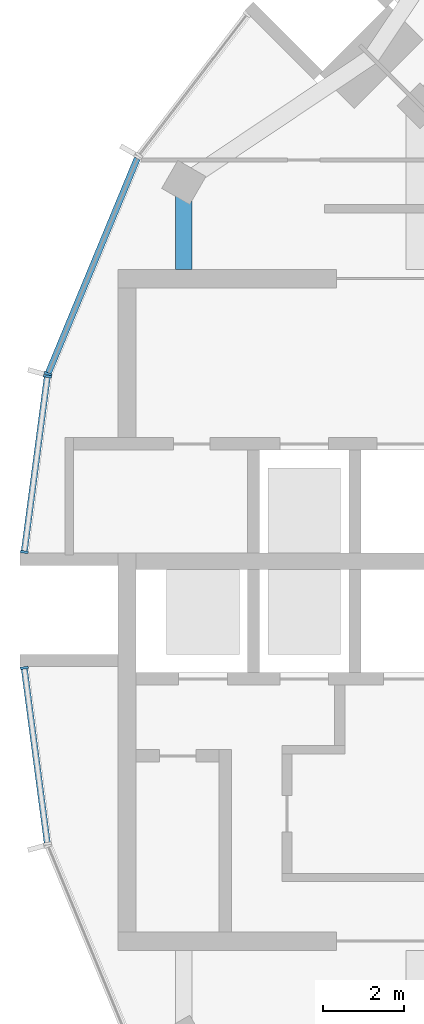
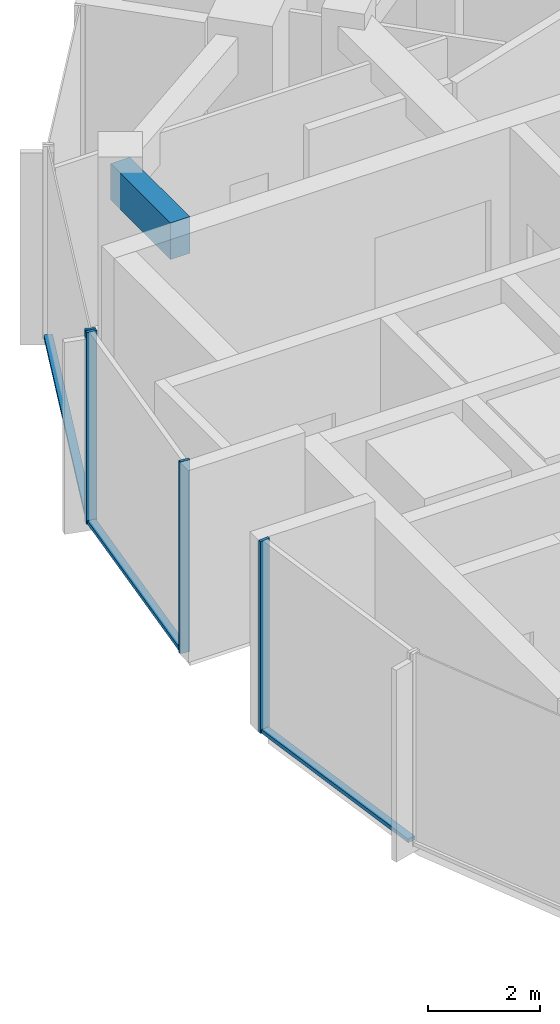
# One storey, part 3 of 14: 7 members, 1 beam, 3 elements without a shape of their own.
"""IFC4 building model written with IfcOpenShell, lengths in metres."""

from ifc_helpers import new_model, si_unit, direction, frame, origin, origin_2d, place, context, subcontext, project, spatial, rectangle, extrude, material, layer, layer_set, material_profile, profile_set, type_object, element, aggregate, save


model = new_model("IFC4")

# Units and contexts
model_context = context("Model", 3, precision=1e-05, world=origin(), true_north=direction((0.0, 1.0)))
body_context = subcontext(model_context, "Body", "Model", "MODEL_VIEW")
ifc_project = project(units=[si_unit("LENGTHUNIT", "METRE"), si_unit("AREAUNIT", "SQUARE_METRE"), si_unit("VOLUMEUNIT", "CUBIC_METRE"), si_unit("PLANEANGLEUNIT", "RADIAN"), si_unit("MASSUNIT", "GRAM", prefix="KILO")], contexts=[model_context])

# Site, building, storey
site_placement = place(None, origin())
site = spatial("IfcSite", under=ifc_project, at=site_placement, CompositionType="ELEMENT")
building_placement = place(site_placement, origin())
building = spatial("IfcBuilding", under=site, at=building_placement, Name="Torre Brocal", CompositionType="ELEMENT")
storey_placement = place(building_placement, frame((0.0, 0.0, 305.10009765625)))
storey = spatial("IfcBuildingStorey", under=building, at=storey_placement, Name="L70", CompositionType="ELEMENT", Elevation=305.10009765625)

# Curtain wall, members
ifc_material_1 = material(Name="Aluminium and glass", Category="aluminium")
ifc_layer_1 = layer(ifc_material_1, 0.199951171875)
ifc_layer_set_1 = layer_set([ifc_layer_1], Name="Aluminium and glass")
curtain_wall_type_1 = type_object("IfcCurtainWallType", Name="CW-1 CURTAIN WALL 4200 HIGH", PredefinedType="NOTDEFINED", material=ifc_layer_set_1)
curtain_wall_1_placement = place(storey_placement, origin())
curtain_wall_1 = element("IfcCurtainWall", 1, at=curtain_wall_1_placement, inside=storey, type_object=curtain_wall_type_1, Name="CW-1 RUN 11", PredefinedType="NOTDEFINED")
ifc_material_2 = material(Name="Aluminium, dark anodised", Category="aluminium")
ifc_material_profile_1 = material_profile(ifc_material_2, rectangle(XDim=0.199951171875, YDim=0.06005859375, at=origin_2d()), Name="CW-1 MULLION 60X200")
ifc_profile_set_1 = profile_set([ifc_material_profile_1], Name="Aluminium, dark anodised")
member_type_1 = type_object("IfcMemberType", Name="CW-1 MULLION 60X200", PredefinedType="MULLION", material=ifc_profile_set_1)
member_1_placement = place(storey_placement, frame((58.37548828125, 80.824951171875, 0.0), z_axis=(0.0, 0.0, 1.0), x_axis=(0.923879532545, -0.382683432284, 0.0)))
member_1 = element("IfcMember", 2, at=member_1_placement, type_object=member_type_1, Name="CW1-5 mullion 2", PredefinedType="MULLION", context=body_context, shape_type="SweptSolid", body=[
    extrude(rectangle(XDim=0.199951171875, YDim=0.06005859375, at=origin_2d()), origin(), (0.0, 0.0, 1.0), 4.199951171875),
])
ifc_material_3 = material(Name="Aluminium, dark anodised", Category="aluminium")
ifc_material_profile_2 = material_profile(ifc_material_3, rectangle(XDim=0.159912109375, YDim=0.080078125, at=origin_2d()), Name="CW-1 TRANSOM 160X80")
ifc_profile_set_2 = profile_set([ifc_material_profile_2], Name="Aluminium, dark anodised")
member_type_2 = type_object("IfcMemberType", Name="CW-1 TRANSOM 160X80", PredefinedType="USERDEFINED", material=ifc_profile_set_2)
member_2_placement = place(storey_placement, frame((60.578857421875, 86.14404296875, 0.039794921875), z_axis=(-0.382710701355, -0.923868236854, 0.0), x_axis=(0.923868236854, -0.382710701355, 0.0)))
member_2 = element("IfcMember", 3, at=member_2_placement, type_object=member_type_2, Name="CW1-5 transom 1.1", ObjectType="TRANSOM", PredefinedType="USERDEFINED", context=body_context, shape_type="SweptSolid", body=[
    extrude(rectangle(XDim=0.159912109375, YDim=0.080078125, at=origin_2d()), origin(), (0.0, 0.0, 1.0), 5.727294921875),
])
aggregate(curtain_wall_1, [member_1, member_2])

ifc_material_4 = material(Name="Aluminium and glass", Category="aluminium")
ifc_layer_2 = layer(ifc_material_4, 0.199951171875)
ifc_layer_set_2 = layer_set([ifc_layer_2], Name="Aluminium and glass")
curtain_wall_type_2 = type_object("IfcCurtainWallType", Name="CW-1B CURTAIN WALL 4200 HIGH", PredefinedType="NOTDEFINED", material=ifc_layer_set_2)
curtain_wall_2_placement = place(storey_placement, origin())
curtain_wall_2 = element("IfcCurtainWall", 4, at=curtain_wall_2_placement, inside=storey, type_object=curtain_wall_type_2, Name="CW-1B RUN 12", PredefinedType="NOTDEFINED")
ifc_material_5 = material(Name="Aluminium, dark anodised", Category="aluminium")
ifc_material_profile_3 = material_profile(ifc_material_5, rectangle(XDim=0.199951171875, YDim=0.06005859375, at=origin_2d()), Name="CW-1B MULLION 60X200")
ifc_profile_set_3 = profile_set([ifc_material_profile_3], Name="Aluminium, dark anodised")
member_type_3 = type_object("IfcMemberType", Name="CW-1B MULLION 60X200", PredefinedType="MULLION", material=ifc_profile_set_3)
member_3_placement = place(storey_placement, frame((58.360107421875, 80.767578125, 0.0), z_axis=(0.0, 0.0, 1.0), x_axis=(0.991444861374, -0.13052619222, 0.0)))
member_3 = element("IfcMember", 5, at=member_3_placement, type_object=member_type_3, Name="CW1B-5 mullion 1", PredefinedType="MULLION", context=body_context, shape_type="SweptSolid", body=[
    extrude(rectangle(XDim=0.199951171875, YDim=0.06005859375, at=origin_2d()), origin(), (0.0, 0.0, 1.0), 4.199951171875),
])
member_4_placement = place(storey_placement, frame((57.7890625, 76.4296875, 0.0), z_axis=(0.0, 0.0, 1.0), x_axis=(0.991444861374, -0.13052619222, 0.0)))
member_4 = element("IfcMember", 6, at=member_4_placement, type_object=member_type_3, Name="CW1B-5 mullion 2", PredefinedType="MULLION", context=body_context, shape_type="SweptSolid", body=[
    extrude(rectangle(XDim=0.199951171875, YDim=0.06005859375, at=origin_2d()), origin(), (0.0, 0.0, 1.0), 4.199951171875),
])

# Curtain wall, member
curtain_wall_3_placement = place(storey_placement, origin())
curtain_wall_3 = element("IfcCurtainWall", 7, at=curtain_wall_3_placement, inside=storey, type_object=curtain_wall_type_2, Name="CW-1B RUN 13", PredefinedType="NOTDEFINED")
member_5_placement = place(storey_placement, frame((57.7890625, 73.5703125, 0.0), z_axis=(0.0, 0.0, 1.0), x_axis=(0.991444861374, 0.13052619222, 0.0)))
member_5 = element("IfcMember", 8, at=member_5_placement, type_object=member_type_3, Name="CW1B-5 mullion 1", PredefinedType="MULLION", context=body_context, shape_type="SweptSolid", body=[
    extrude(rectangle(XDim=0.199951171875, YDim=0.06005859375, at=origin_2d()), origin(), (0.0, 0.0, 1.0), 4.199951171875),
])

# Member
ifc_material_6 = material(Name="Aluminium, dark anodised", Category="aluminium")
ifc_material_profile_4 = material_profile(ifc_material_6, rectangle(XDim=0.159912109375, YDim=0.080078125, at=origin_2d()), Name="CW-1B TRANSOM 160X80")
ifc_profile_set_4 = profile_set([ifc_material_profile_4], Name="Aluminium, dark anodised")
member_type_4 = type_object("IfcMemberType", Name="CW-1B TRANSOM 160X80", PredefinedType="USERDEFINED", material=ifc_profile_set_4)
member_6_placement = place(storey_placement, frame((58.356201171875, 80.73779296875, 0.039794921875), z_axis=(-0.130521833991, -0.991445435136, 0.0), x_axis=(0.991445435136, -0.130521833991, 0.0)))
member_6 = element("IfcMember", 9, at=member_6_placement, type_object=member_type_4, Name="CW1B-5 transom 1.1", ObjectType="TRANSOM", PredefinedType="USERDEFINED", context=body_context, shape_type="SweptSolid", body=[
    extrude(rectangle(XDim=0.159912109375, YDim=0.080078125, at=origin_2d()), origin(), (0.0, 0.0, 1.0), 4.315185546875),
])

aggregate(curtain_wall_2, [member_3, member_4, member_6])

member_7_placement = place(storey_placement, frame((57.79296875, 73.54052734375, 0.039794921875), z_axis=(0.130521833991, -0.991445435136, 0.0), x_axis=(0.991445435136, 0.130521833991, 0.0)))
member_7 = element("IfcMember", 10, at=member_7_placement, type_object=member_type_4, Name="CW1B-5 transom 1.1", ObjectType="TRANSOM", PredefinedType="USERDEFINED", context=body_context, shape_type="SweptSolid", body=[
    extrude(rectangle(XDim=0.159912109375, YDim=0.080078125, at=origin_2d()), origin(), (0.0, 0.0, 1.0), 4.315185546875),
])

aggregate(curtain_wall_3, [member_5, member_7])

# Beam
ifc_material_7 = material(Name="Concrete C50", Category="concrete")
ifc_material_profile_5 = material_profile(ifc_material_7, rectangle(XDim=0.39990234375, YDim=0.800048828125, at=origin_2d()), Name="RC 400X800")
ifc_profile_set_5 = profile_set([ifc_material_profile_5], Name="Concrete C50")
beam_type = type_object("IfcBeamType", Name="RC SPANDREL BEAM 400X800 C50 TOP 3850", PredefinedType="SPANDREL", material=ifc_profile_set_5)
beam_placement = place(storey_placement, frame((61.726806640625, 85.550048828125, 3.449951171875), z_axis=(0.0, -1.0, 0.0), x_axis=(1.0, 0.0, 0.0)))
element("IfcBeam", 11, at=beam_placement, inside=storey, type_object=beam_type, Name="Beam BT-49", PredefinedType="SPANDREL", context=body_context, shape_type="SweptSolid", body=[
    extrude(rectangle(XDim=0.39990234375, YDim=0.800048828125, at=origin_2d()), origin(), (0.0, 0.0, 1.0), 2.150146484375),
])

save(model, "model.ifc")
